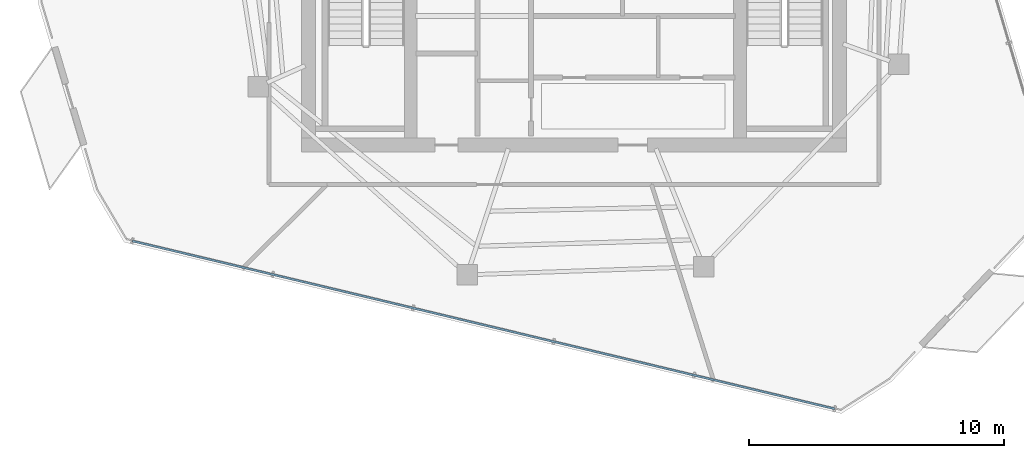
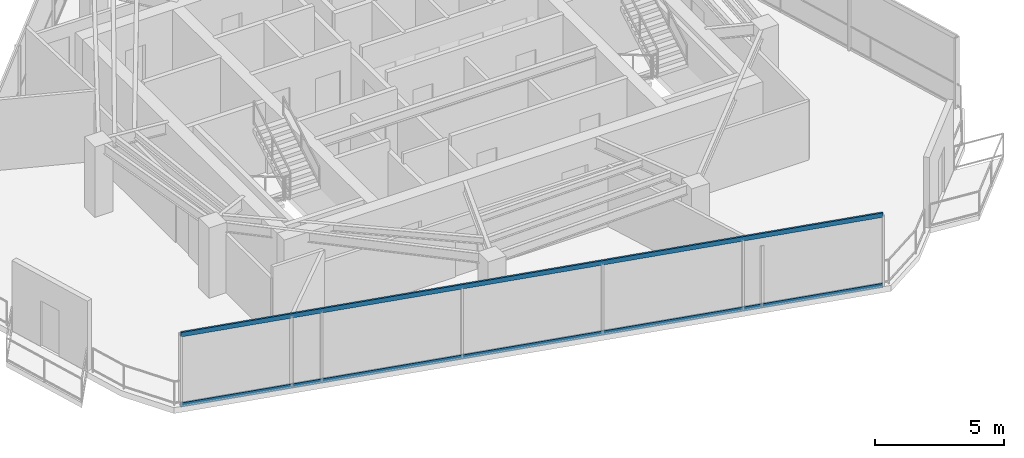
# One storey, part 3 of 18: 2 members, 1 element without a shape of its own.
"""IFC4 building model written with IfcOpenShell, lengths in metres."""

from ifc_helpers import new_model, si_unit, direction, frame, origin, origin_2d, place, context, subcontext, project, spatial, hollow_rectangle, extrude, material, layer, layer_set, material_profile, profile_set, type_object, element, aggregate, save


model = new_model("IFC4")

# Units and contexts
model_context = context("Model", 3, precision=1e-05, world=origin(), true_north=direction((0.0, 1.0)))
body_context = subcontext(model_context, "Body", "Model", "MODEL_VIEW")
ifc_project = project(units=[si_unit("LENGTHUNIT", "METRE"), si_unit("AREAUNIT", "SQUARE_METRE"), si_unit("VOLUMEUNIT", "CUBIC_METRE"), si_unit("PLANEANGLEUNIT", "RADIAN"), si_unit("MASSUNIT", "GRAM", prefix="KILO")], contexts=[model_context])

# Site, building, storey
site_placement = place(None, origin())
site = spatial("IfcSite", under=ifc_project, at=site_placement, CompositionType="ELEMENT")
building_placement = place(site_placement, origin())
building = spatial("IfcBuilding", under=site, at=building_placement, Name="Qarnah Convention Tower", CompositionType="ELEMENT")
storey_placement = place(building_placement, frame((0.0, 0.0, 242.699951171875)))
storey = spatial("IfcBuildingStorey", under=building, at=storey_placement, Name="L65", CompositionType="ELEMENT", Elevation=242.699951171875)

# Curtain wall, members
ifc_material_1 = material(Name="Tempered Low-E dark glass", Category="glass")
ifc_layer = layer(ifc_material_1, 0.176025390625)
ifc_layer_set = layer_set([ifc_layer], Name="Tempered Low-E dark glass")
curtain_wall_type = type_object("IfcCurtainWallType", Name="CWS-05", PredefinedType="NOTDEFINED", material=ifc_layer_set)
curtain_wall_placement = place(storey_placement, origin())
curtain_wall = element("IfcCurtainWall", 1, at=curtain_wall_placement, inside=storey, type_object=curtain_wall_type, Name="L65 unitised curtain wall CW-L65-F3", PredefinedType="NOTDEFINED")
ifc_material_2 = material(Name="Black anodised aluminium", Category="aluminium")
ifc_material_profile = material_profile(ifc_material_2, hollow_rectangle(XDim=0.080078125, YDim=0.2099609375, WallThickness=0.0048828125, at=origin_2d()), Name="TRN-80X210")
ifc_profile_set = profile_set([ifc_material_profile], Name="Black anodised aluminium")
member_type = type_object("IfcMemberType", Name="TRN-T5", PredefinedType="USERDEFINED", material=ifc_profile_set)
member_1_placement = place(storey_placement, frame((47.4150390625, 8.260986328125, 0.0), z_axis=(-0.972606583285, 0.232457381366, 0.0), x_axis=(-0.232457381366, -0.972606583285, 0.0)))
member_1 = element("IfcMember", 2, at=member_1_placement, type_object=member_type, Name="CW-L65-F3 transom 1", ObjectType="TRANSOM", PredefinedType="USERDEFINED", context=body_context, shape_type="SweptSolid", body=[
    extrude(hollow_rectangle(XDim=0.080078125, YDim=0.2099609375, WallThickness=0.0048828125, at=origin_2d()), origin(), (0.0, 0.0, 1.0), 28.302490234375),
])
member_2_placement = place(storey_placement, frame((47.4150390625, 8.260986328125, 3.320068359375), z_axis=(-0.972606583285, 0.232457381366, 0.0), x_axis=(-0.232457381366, -0.972606583285, 0.0)))
member_2 = element("IfcMember", 3, at=member_2_placement, type_object=member_type, Name="CW-L65-F3 transom 2", ObjectType="TRANSOM", PredefinedType="USERDEFINED", context=body_context, shape_type="SweptSolid", body=[
    extrude(hollow_rectangle(XDim=0.080078125, YDim=0.2099609375, WallThickness=0.0048828125, at=origin_2d()), origin(), (0.0, 0.0, 1.0), 28.302490234375),
])
aggregate(curtain_wall, [member_1, member_2])

save(model, "model.ifc")
